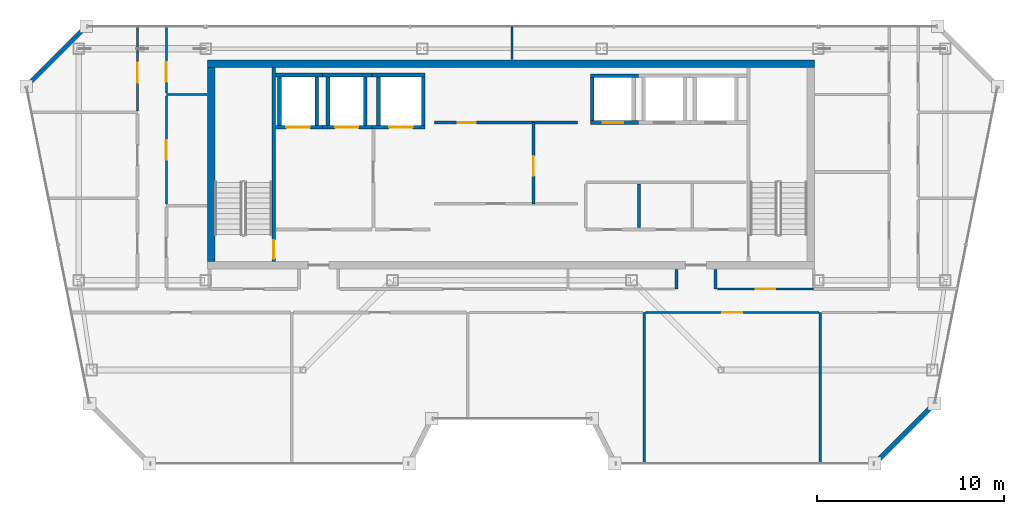
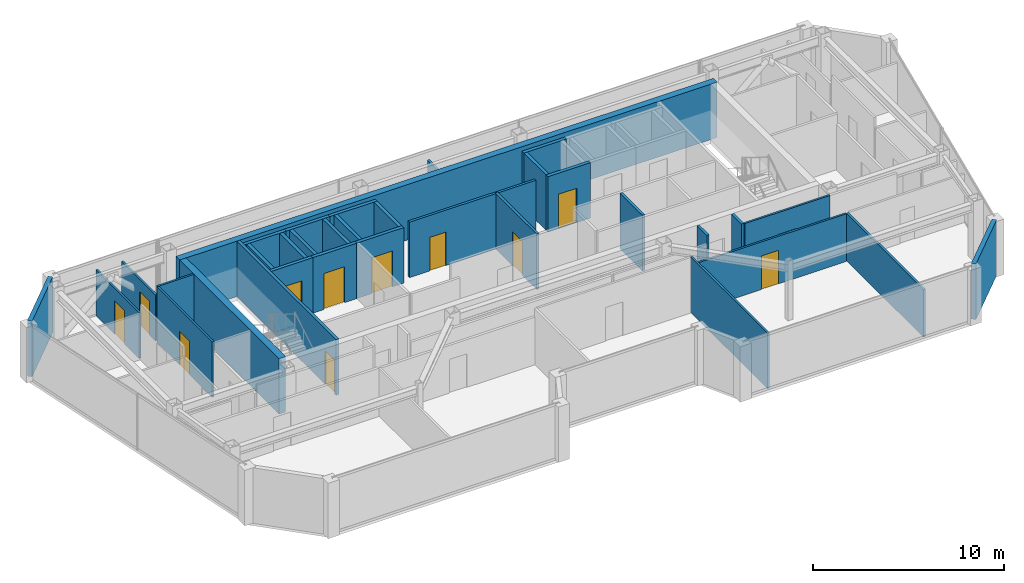
# One storey, part 19 of 24: 34 walls, 12 doors, 12 openings.
"""IFC4 building model written with IfcOpenShell, lengths in metres."""

from ifc_helpers import new_model, si_unit, direction, frame, frame_2d, origin, place, context, subcontext, project, spatial, rectangle, extrude, material, layer, layer_set, type_object, element, fill, save


model = new_model("IFC4")

# Units and contexts
model_context = context("Model", 3, precision=1e-05, world=origin(), true_north=direction((0.0, 1.0)))
body_context = subcontext(model_context, "Body", "Model", "MODEL_VIEW")
ifc_project = project(units=[si_unit("LENGTHUNIT", "METRE"), si_unit("AREAUNIT", "SQUARE_METRE"), si_unit("VOLUMEUNIT", "CUBIC_METRE"), si_unit("PLANEANGLEUNIT", "RADIAN"), si_unit("MASSUNIT", "GRAM", prefix="KILO")], contexts=[model_context])

# Site, building, storey
site_placement = place(None, origin())
site = spatial("IfcSite", under=ifc_project, at=site_placement, CompositionType="ELEMENT")
building_placement = place(site_placement, origin())
building = spatial("IfcBuilding", under=site, at=building_placement, Name="Saevonmaru Cultural Tower", CompositionType="ELEMENT")
storey_placement = place(building_placement, frame((0.0, 0.0, 299.0)))
storey = spatial("IfcBuildingStorey", under=building, at=storey_placement, Name="L71", CompositionType="ELEMENT", Elevation=299.0)

# Walls
ifc_material_1 = material(Name="Concrete C50/60", Category="concrete")
ifc_layer_1 = layer(ifc_material_1, 0.39990234375, Name="Concrete C50/60")
ifc_layer_set_1 = layer_set([ifc_layer_1], Name="Concrete C50/60")
wall_type_1 = type_object("IfcWallType", Name="WL-CORE-400", PredefinedType="SHEAR", material=ifc_layer_set_1)
wall_1_placement = place(storey_placement, frame((13.699951171875, 54.0, 0.0), z_axis=(0.0, 0.0, 1.0), x_axis=(1.0, 0.0, 0.0)))
element("IfcWall", 1, at=wall_1_placement, inside=storey, type_object=wall_type_1, Name="L71 Tower RC core shear wall N", PredefinedType="SHEAR", context=body_context, shape_type="SweptSolid", body=[
    extrude(rectangle(XDim=32.5, YDim=0.39990234375, at=frame_2d((16.25, 0.0))), origin(), (0.0, 0.0, 1.0), 3.550048828125),
])
wall_2_placement = place(storey_placement, frame((13.89990234375, 43.39990234375, 0.0), z_axis=(0.0, 0.0, 1.0), x_axis=(0.0, 1.0, 0.0)))
element("IfcWall", 2, at=wall_2_placement, inside=storey, type_object=wall_type_1, Name="L71 Tower RC core shear wall W", PredefinedType="SHEAR", context=body_context, shape_type="SweptSolid", body=[
    extrude(rectangle(XDim=10.400146484375, YDim=0.39990234375, at=frame_2d((5.2001953125, 0.0))), origin(), (0.0, 0.0, 1.0), 3.550048828125),
])

# Wall, opening, door
ifc_material_2 = material(Name="Gypsum Fireboard Partition", Category="gypsum")
ifc_layer_2 = layer(ifc_material_2, 0.14990234375, Name="Gypsum Fireboard Partition")
ifc_layer_set_2 = layer_set([ifc_layer_2], Name="Gypsum Fireboard Partition")
wall_type_2 = type_object("IfcWallType", Name="WL-CORE-PART-150", PredefinedType="PARTITIONING", material=ifc_layer_set_2)
wall_3_placement = place(storey_placement, frame((31.14990234375, 46.5, 0.0), z_axis=(0.0, 0.0, 1.0), x_axis=(0.0, 1.0, 0.0)))
wall_3 = element("IfcWall", 3, at=wall_3_placement, inside=storey, type_object=wall_type_2, Name="L71 Lift Zone Baffle 1", PredefinedType="PARTITIONING", context=body_context, shape_type="SweptSolid", body=[
    extrude(rectangle(XDim=4.35009765625, YDim=0.14990234375, at=frame_2d((2.175048828125, 0.0))), origin(), (0.0, 0.0, 1.0), 3.550048828125),
])
opening_1_placement = place(wall_3_placement, frame((1.5, 0.0, 0.0)))
opening_1 = element("IfcOpeningElement", 4, at=opening_1_placement, cuts=wall_3, Name="Opening ID-1", PredefinedType="OPENING", context=body_context, shape_type="SweptSolid", body=[
    extrude(rectangle(XDim=1.050048828125, YDim=2.14990234375, at=frame_2d((0.52490234375, 1.074951171875))), frame((0.0, 0.0849609375, 0.0), z_axis=(0.0, -1.0, 0.0), x_axis=(1.0, 0.0, 0.0)), (0.0, 0.0, 1.0), 0.169921875),
])
ifc_material_3 = material(Name="Satin Bronze Anodised Aluminium", Category="aluminium")
door_type_1 = type_object("IfcDoorType", Name="DR-INT-1050", OperationType="SINGLE_SWING_LEFT", PredefinedType="DOOR", material=ifc_material_3)
door_1_placement = place(opening_1_placement, origin())
door_1 = element("IfcDoor", 5, at=door_1_placement, inside=storey, type_object=door_type_1, Name="L71 West-Mid Lobby Portal", OperationType="SINGLE_SWING_LEFT", OverallHeight=2.14990234375, OverallWidth=1.050048828125, PredefinedType="DOOR", context=body_context, shape_type="SweptSolid", body=[
    extrude(rectangle(XDim=1.050048828125, YDim=2.14990234375, at=frame_2d((0.52490234375, 1.074951171875))), frame((0.0, 0.02490234375, 0.0), z_axis=(0.0, -1.0, 0.0), x_axis=(1.0, 0.0, 0.0)), (0.0, 0.0, 1.0), 0.050048828125),
])
fill(opening_1, door_1)

# Wall
wall_4_placement = place(storey_placement, frame((36.800048828125, 45.219970703125, 0.0), z_axis=(0.0, 0.0, 1.0), x_axis=(0.0, 1.0, 0.0)))
element("IfcWall", 6, at=wall_4_placement, inside=storey, type_object=wall_type_2, Name="L71 Utility Divider 1", PredefinedType="PARTITIONING", context=body_context, shape_type="SweptSolid", body=[
    extrude(rectangle(XDim=2.330078125, YDim=0.14990234375, at=frame_2d((1.1650390625, 0.0))), origin(), (0.0, 0.0, 1.0), 3.550048828125),
])

# Wall, opening, door
wall_5_placement = place(storey_placement, frame((25.85009765625, 50.85009765625, 0.0), z_axis=(0.0, 0.0, 1.0), x_axis=(1.0, 0.0, 0.0)))
wall_5 = element("IfcWall", 7, at=wall_5_placement, inside=storey, type_object=wall_type_2, Name="L71 Reclaimed Core Room South Wall", PredefinedType="PARTITIONING", context=body_context, shape_type="SweptSolid", body=[
    extrude(rectangle(XDim=7.64990234375, YDim=0.14990234375, at=frame_2d((3.824951171875, 0.0))), origin(), (0.0, 0.0, 1.0), 3.550048828125),
])
opening_2_placement = place(wall_5_placement, frame((1.25, 0.0, 0.0)))
opening_2 = element("IfcOpeningElement", 8, at=opening_2_placement, cuts=wall_5, Name="Opening FD-4", PredefinedType="OPENING", context=body_context, shape_type="SweptSolid", body=[
    extrude(rectangle(XDim=0.949951171875, YDim=2.14990234375, at=frame_2d((0.47509765625, 1.074951171875))), frame((0.0, 0.0849609375, 0.0), z_axis=(0.0, -1.0, 0.0), x_axis=(1.0, 0.0, 0.0)), (0.0, 0.0, 1.0), 0.169921875),
])
door_type_2 = type_object("IfcDoorType", Name="DR-FD60-950", OperationType="SINGLE_SWING_LEFT", PredefinedType="DOOR", material=ifc_material_3)
door_2_placement = place(opening_2_placement, origin())
door_2 = element("IfcDoor", 9, at=door_2_placement, inside=storey, type_object=door_type_2, Name="L71 Reclaimed Archive Vault Door", OperationType="SINGLE_SWING_LEFT", OverallHeight=2.14990234375, OverallWidth=0.949951171875, PredefinedType="DOOR", context=body_context, shape_type="SweptSolid", body=[
    extrude(rectangle(XDim=0.949951171875, YDim=2.14990234375, at=frame_2d((0.47509765625, 1.074951171875))), frame((0.0, 0.02490234375, 0.0), z_axis=(0.0, -1.0, 0.0), x_axis=(1.0, 0.0, 0.0)), (0.0, 0.0, 1.0), 0.050048828125),
])
fill(opening_2, door_2)

# Walls
ifc_material_4 = material(Name="Granite-Clad Precast Concrete C40/50", Category="masonry")
ifc_layer_3 = layer(ifc_material_4, 0.260009765625, Name="Granite-Clad Precast Concrete C40/50")
ifc_layer_set_3 = layer_set([ifc_layer_3], Name="Granite-Clad Precast Concrete C40/50")
wall_type_3 = type_object("IfcWallType", Name="WL-EXT-SPANDREL-260", PredefinedType="STANDARD", material=ifc_layer_set_3)
wall_6_placement = place(storey_placement, frame((49.533203125, 32.713134765625, 0.0), z_axis=(0.0, 0.0, 1.0), x_axis=(0.70707775441, 0.707135806771, 0.0)))
element("IfcWall", 10, at=wall_6_placement, inside=storey, type_object=wall_type_3, Name="L71 Chamfer Corner Spandrel Wall E7", PredefinedType="STANDARD", context=body_context, shape_type="SweptSolid", body=[
    extrude(rectangle(XDim=4.20556640625, YDim=0.260009765625, at=frame_2d((2.102783203125, 0.0))), origin(), (0.0, 0.0, 1.0), 3.550048828125),
])
wall_7_placement = place(storey_placement, frame((7.0869140625, 55.886962890625, 0.0), z_axis=(0.0, 0.0, 1.0), x_axis=(-0.707106781187, -0.707106781187, 0.0)))
element("IfcWall", 11, at=wall_7_placement, inside=storey, type_object=wall_type_3, Name="L71 Chamfer Corner Spandrel Wall E11", PredefinedType="STANDARD", context=body_context, shape_type="SweptSolid", body=[
    extrude(rectangle(XDim=4.205810546875, YDim=0.260009765625, at=frame_2d((2.10302734375, 0.0))), origin(), (0.0, 0.0, 1.0), 3.550048828125),
])
ifc_layer_4 = layer(ifc_material_2, 0.14990234375, Name="Gypsum Fireboard Partition")
ifc_layer_set_4 = layer_set([ifc_layer_4], Name="Gypsum Fireboard Partition")
wall_type_4 = type_object("IfcWallType", Name="WL-PART-FIRE-150", PredefinedType="PARTITIONING", material=ifc_layer_set_4)
for number, where, z_axis, x_axis, name in (
    (12, (38.800048828125, 41.93994140625, 0.0), (0.0, 0.0, 1.0), (0.0, 1.0, 0.0), "L71 Core Portal Side Wall E1"),
    (13, (40.89990234375, 41.93994140625, 0.0), (0.0, 0.0, 1.0), (0.0, 1.0, 0.0), "L71 Core Portal Side Wall E2"),
):
    element("IfcWall", number, at=place(storey_placement, frame(where, z_axis=z_axis, x_axis=x_axis)), inside=storey, type_object=wall_type_4, Name=name, PredefinedType="PARTITIONING", context=body_context, shape_type="SweptSolid", body=[
        extrude(rectangle(XDim=1.0400390625, YDim=0.14990234375, at=frame_2d((0.52001953125, 0.0))), origin(), (0.0, 0.0, 1.0), 3.550048828125),
    ])
ifc_layer_5 = layer(ifc_material_2, 0.1201171875, Name="Gypsum Fireboard Partition")
ifc_layer_set_5 = layer_set([ifc_layer_5], Name="Gypsum Fireboard Partition")
wall_type_5 = type_object("IfcWallType", Name="WL-PART-GYP-120", PredefinedType="PARTITIONING", material=ifc_layer_set_5)
wall_8_placement = place(storey_placement, frame((11.5, 52.35009765625, 0.0), z_axis=(0.0, 0.0, 1.0), x_axis=(1.0, 0.0, 0.0)))
element("IfcWall", 14, at=wall_8_placement, inside=storey, type_object=wall_type_5, Name="L71 North-West Panorama South Wall", PredefinedType="PARTITIONING", context=body_context, shape_type="SweptSolid", body=[
    extrude(rectangle(XDim=2.179931640625, YDim=0.1201171875, at=frame_2d((1.08984375, 0.0))), origin(), (0.0, 0.0, 1.0), 3.550048828125),
])
wall_9_placement = place(storey_placement, frame((30.0, 54.219970703125, 0.0), z_axis=(0.0, 0.0, 1.0), x_axis=(0.0, 1.0, 0.0)))
element("IfcWall", 15, at=wall_9_placement, inside=storey, type_object=wall_type_5, Name="L71 North Panorama Center Split", PredefinedType="PARTITIONING", context=body_context, shape_type="SweptSolid", body=[
    extrude(rectangle(XDim=1.775146484375, YDim=0.1201171875, at=frame_2d((0.8876953125, 0.0))), origin(), (0.0, 0.0, 1.0), 2.93505859375),
])

# Wall, opening, door
wall_10_placement = place(storey_placement, frame((11.5, 52.429931640625, 0.0), z_axis=(0.0, 0.0, 1.0), x_axis=(0.0, 1.0, 0.0)))
wall_10 = element("IfcWall", 16, at=wall_10_placement, inside=storey, type_object=wall_type_5, Name="L71 Rare Manuscript Reading Room Corridor Wall", PredefinedType="PARTITIONING", context=body_context, shape_type="SweptSolid", body=[
    extrude(rectangle(XDim=3.565185546875, YDim=0.1201171875, at=frame_2d((1.78271484375, 0.0))), origin(), (0.0, 0.0, 1.0), 2.93505859375),
])
opening_3_placement = place(wall_10_placement, frame((0.596923828125, 0.0, 0.0)))
opening_3 = element("IfcOpeningElement", 17, at=opening_3_placement, cuts=wall_10, Name="Opening ID-1", PredefinedType="OPENING", context=body_context, shape_type="SweptSolid", body=[
    extrude(rectangle(XDim=1.050048828125, YDim=2.14990234375, at=frame_2d((0.52490234375, 1.074951171875))), frame((0.0, 0.070068359375, 0.0), z_axis=(0.0, -1.0, 0.0), x_axis=(1.0, 0.0, 0.0)), (0.0, 0.0, 1.0), 0.14013671875),
])
door_3_placement = place(opening_3_placement, origin())
door_3 = element("IfcDoor", 18, at=door_3_placement, inside=storey, type_object=door_type_1, Name="L71 Rare Manuscript Reading Room Door", OperationType="SINGLE_SWING_LEFT", OverallHeight=2.14990234375, OverallWidth=1.050048828125, PredefinedType="DOOR", context=body_context, shape_type="SweptSolid", body=[
    extrude(rectangle(XDim=1.050048828125, YDim=2.14990234375, at=frame_2d((0.52490234375, 1.074951171875))), frame((0.0, 0.02490234375, 0.0), z_axis=(0.0, -1.0, 0.0), x_axis=(1.0, 0.0, 0.0)), (0.0, 0.0, 1.0), 0.050048828125),
])
fill(opening_3, door_3)

wall_11_placement = place(storey_placement, frame((9.949951171875, 51.47998046875, 0.0), z_axis=(0.0, 0.0, 1.0), x_axis=(0.0, 1.0, 0.0)))
wall_11 = element("IfcWall", 19, at=wall_11_placement, inside=storey, type_object=wall_type_5, Name="L71 Rare Manuscript Reading Room Corridor Wall", PredefinedType="PARTITIONING", context=body_context, shape_type="SweptSolid", body=[
    extrude(rectangle(XDim=4.51513671875, YDim=0.1201171875, at=frame_2d((2.257568359375, 0.0))), origin(), (0.0, 0.0, 1.0), 2.93505859375),
])
opening_4_placement = place(wall_11_placement, frame((1.512939453125, 0.0, 0.0)))
opening_4 = element("IfcOpeningElement", 20, at=opening_4_placement, cuts=wall_11, Name="Opening ID-1", PredefinedType="OPENING", context=body_context, shape_type="SweptSolid", body=[
    extrude(rectangle(XDim=1.050048828125, YDim=2.14990234375, at=frame_2d((0.52490234375, 1.074951171875))), frame((0.0, 0.070068359375, 0.0), z_axis=(0.0, -1.0, 0.0), x_axis=(1.0, 0.0, 0.0)), (0.0, 0.0, 1.0), 0.14013671875),
])
door_4_placement = place(opening_4_placement, origin())
door_4 = element("IfcDoor", 21, at=door_4_placement, inside=storey, type_object=door_type_1, Name="L71 Rare Manuscript Reading Room Door", OperationType="SINGLE_SWING_RIGHT", OverallHeight=2.14990234375, OverallWidth=1.050048828125, PredefinedType="DOOR", context=body_context, shape_type="SweptSolid", body=[
    extrude(rectangle(XDim=1.050048828125, YDim=2.14990234375, at=frame_2d((0.52490234375, 1.074951171875))), frame((0.0, 0.02490234375, 0.0), z_axis=(0.0, -1.0, 0.0), x_axis=(1.0, 0.0, 0.0)), (0.0, 0.0, 1.0), 0.050048828125),
])
fill(opening_4, door_4)

wall_12_placement = place(storey_placement, frame((11.5, 46.47998046875, 0.0), z_axis=(0.0, 0.0, 1.0), x_axis=(0.0, 1.0, 0.0)))
wall_12 = element("IfcWall", 22, at=wall_12_placement, inside=storey, type_object=wall_type_5, Name="L71 Rare Manuscript Reading Room Corridor Wall", PredefinedType="PARTITIONING", context=body_context, shape_type="SweptSolid", body=[
    extrude(rectangle(XDim=5.7900390625, YDim=0.1201171875, at=frame_2d((2.89501953125, 0.0))), origin(), (0.0, 0.0, 1.0), 3.550048828125),
])
opening_5_placement = place(wall_12_placement, frame((2.3701171875, 0.0, 0.0)))
opening_5 = element("IfcOpeningElement", 23, at=opening_5_placement, cuts=wall_12, Name="Opening ID-1", PredefinedType="OPENING", context=body_context, shape_type="SweptSolid", body=[
    extrude(rectangle(XDim=1.050048828125, YDim=2.14990234375, at=frame_2d((0.52490234375, 1.074951171875))), frame((0.0, 0.070068359375, 0.0), z_axis=(0.0, -1.0, 0.0), x_axis=(1.0, 0.0, 0.0)), (0.0, 0.0, 1.0), 0.14013671875),
])
door_5_placement = place(opening_5_placement, origin())
door_5 = element("IfcDoor", 24, at=door_5_placement, inside=storey, type_object=door_type_1, Name="L71 Rare Manuscript Reading Room Door", OperationType="SINGLE_SWING_RIGHT", OverallHeight=2.14990234375, OverallWidth=1.050048828125, PredefinedType="DOOR", context=body_context, shape_type="SweptSolid", body=[
    extrude(rectangle(XDim=1.050048828125, YDim=2.14990234375, at=frame_2d((0.52490234375, 1.074951171875))), frame((0.0, 0.02490234375, 0.0), z_axis=(0.0, -1.0, 0.0), x_axis=(1.0, 0.0, 0.0)), (0.0, 0.0, 1.0), 0.050048828125),
])
fill(opening_5, door_5)

wall_13_placement = place(storey_placement, frame((40.9951171875, 41.93994140625, 0.0), z_axis=(0.0, 0.0, 1.0), x_axis=(1.0, 0.0, 0.0)))
wall_13 = element("IfcWall", 25, at=wall_13_placement, inside=storey, type_object=wall_type_5, Name="L71 Rare Manuscript Reading Room Corridor Wall", PredefinedType="PARTITIONING", context=body_context, shape_type="SweptSolid", body=[
    extrude(rectangle(XDim=5.15478515625, YDim=0.1201171875, at=frame_2d((2.577392578125, 0.0))), origin(), (0.0, 0.0, 1.0), 3.550048828125),
])
opening_6_placement = place(wall_13_placement, frame((2.052978515625, 0.0, 0.0)))
opening_6 = element("IfcOpeningElement", 26, at=opening_6_placement, cuts=wall_13, Name="Opening ID-1", PredefinedType="OPENING", context=body_context, shape_type="SweptSolid", body=[
    extrude(rectangle(XDim=1.050048828125, YDim=2.14990234375, at=frame_2d((0.52490234375, 1.074951171875))), frame((0.0, 0.070068359375, 0.0), z_axis=(0.0, -1.0, 0.0), x_axis=(1.0, 0.0, 0.0)), (0.0, 0.0, 1.0), 0.14013671875),
])
door_6_placement = place(opening_6_placement, origin())
door_6 = element("IfcDoor", 27, at=door_6_placement, inside=storey, type_object=door_type_1, Name="L71 Rare Manuscript Reading Room Door", OperationType="SINGLE_SWING_LEFT", OverallHeight=2.14990234375, OverallWidth=1.050048828125, PredefinedType="DOOR", context=body_context, shape_type="SweptSolid", body=[
    extrude(rectangle(XDim=1.050048828125, YDim=2.14990234375, at=frame_2d((0.52490234375, 1.074951171875))), frame((0.0, 0.02490234375, 0.0), z_axis=(0.0, -1.0, 0.0), x_axis=(1.0, 0.0, 0.0)), (0.0, 0.0, 1.0), 0.050048828125),
])
fill(opening_6, door_6)

# Wall
wall_14_placement = place(storey_placement, frame((37.080078125, 32.60498046875, 0.0), z_axis=(0.0, 0.0, 1.0), x_axis=(0.0, 1.0, 0.0)))
element("IfcWall", 28, at=wall_14_placement, inside=storey, type_object=wall_type_5, Name="L71 Observatory Bay Divider 3", PredefinedType="PARTITIONING", context=body_context, shape_type="SweptSolid", body=[
    extrude(rectangle(XDim=8.074951171875, YDim=0.1201171875, at=frame_2d((4.03759765625, 0.0))), origin(), (0.0, 0.0, 1.0), 3.550048828125),
])

# Wall, opening, door
wall_15_placement = place(storey_placement, frame((37.159912109375, 40.679931640625, 0.0), z_axis=(0.0, 0.0, 1.0), x_axis=(1.0, 0.0, 0.0)))
wall_15 = element("IfcWall", 29, at=wall_15_placement, inside=storey, type_object=wall_type_5, Name="L71 Periodical Reading Room Corridor Wall", PredefinedType="PARTITIONING", context=body_context, shape_type="SweptSolid", body=[
    extrude(rectangle(XDim=9.2626953125, YDim=0.1201171875, at=frame_2d((4.63134765625, 0.0))), origin(), (0.0, 0.0, 1.0), 3.047119140625),
])
opening_7_placement = place(wall_15_placement, frame((4.10595703125, 0.0, 0.0)))
opening_7 = element("IfcOpeningElement", 30, at=opening_7_placement, cuts=wall_15, Name="Opening ID-1", PredefinedType="OPENING", context=body_context, shape_type="SweptSolid", body=[
    extrude(rectangle(XDim=1.050048828125, YDim=2.14990234375, at=frame_2d((0.52490234375, 1.074951171875))), frame((0.0, 0.070068359375, 0.0), z_axis=(0.0, -1.0, 0.0), x_axis=(1.0, 0.0, 0.0)), (0.0, 0.0, 1.0), 0.14013671875),
])
door_7_placement = place(opening_7_placement, origin())
door_7 = element("IfcDoor", 31, at=door_7_placement, inside=storey, type_object=door_type_1, Name="L71 Periodical Reading Room Door", OperationType="SINGLE_SWING_LEFT", OverallHeight=2.14990234375, OverallWidth=1.050048828125, PredefinedType="DOOR", context=body_context, shape_type="SweptSolid", body=[
    extrude(rectangle(XDim=1.050048828125, YDim=2.14990234375, at=frame_2d((0.52490234375, 1.074951171875))), frame((0.0, 0.02490234375, 0.0), z_axis=(0.0, -1.0, 0.0), x_axis=(1.0, 0.0, 0.0)), (0.0, 0.0, 1.0), 0.050048828125),
])
fill(opening_7, door_7)

# Wall
ifc_layer_6 = layer(ifc_material_2, 0.135009765625, Name="Gypsum Fireboard Partition")
ifc_layer_set_6 = layer_set([ifc_layer_6], Name="Gypsum Fireboard Partition")
wall_type_6 = type_object("IfcWallType", Name="WL-PART-GYP-135", PredefinedType="PARTITIONING", material=ifc_layer_set_6)
wall_16_placement = place(storey_placement, frame((46.510009765625, 32.60498046875, 0.0), z_axis=(0.0, 0.0, 1.0), x_axis=(0.0, 1.0, 0.0)))
element("IfcWall", 32, at=wall_16_placement, inside=storey, type_object=wall_type_6, Name="L71 Observatory Bay Divider 4", PredefinedType="PARTITIONING", context=body_context, shape_type="SweptSolid", body=[
    extrude(rectangle(XDim=8.074951171875, YDim=0.135009765625, at=frame_2d((4.03759765625, 0.0))), origin(), (0.0, 0.0, 1.0), 3.047119140625),
])

# Wall, opening, door
ifc_material_5 = material(Name="Concrete C40/50", Category="concrete")
ifc_layer_7 = layer(ifc_material_5, 0.199951171875, Name="Concrete C40/50")
ifc_layer_set_7 = layer_set([ifc_layer_7], Name="Concrete C40/50")
wall_type_7 = type_object("IfcWallType", Name="WL-SHAFT-200", PredefinedType="SHEAR", material=ifc_layer_set_7)
wall_17_placement = place(storey_placement, frame((17.330078125, 50.60009765625, 0.0), z_axis=(0.0, 0.0, 1.0), x_axis=(1.0, 0.0, 0.0)))
wall_17 = element("IfcWall", 33, at=wall_17_placement, inside=storey, type_object=wall_type_7, Name="L71 Lift FFL-1 Hoistway Wall S", PredefinedType="SHEAR", context=body_context, shape_type="SweptSolid", body=[
    extrude(rectangle(XDim=2.52001953125, YDim=0.199951171875, at=frame_2d((1.260009765625, 0.0))), origin(), (0.0, 0.0, 1.0), 3.550048828125),
])
opening_8_placement = place(wall_17_placement, frame((0.594970703125, 0.0, 0.0)))
opening_8 = element("IfcOpeningElement", 34, at=opening_8_placement, cuts=wall_17, Name="Opening LD-2", PredefinedType="OPENING", context=body_context, shape_type="SweptSolid", body=[
    extrude(rectangle(XDim=1.25, YDim=2.300048828125, at=frame_2d((0.625, 1.14990234375))), frame((0.0, 0.10986328125, 0.0), z_axis=(0.0, -1.0, 0.0), x_axis=(1.0, 0.0, 0.0)), (0.0, 0.0, 1.0), 0.219970703125),
])
ifc_material_6 = material(Name="Stainless Steel 316", Category="steel")
door_type_3 = type_object("IfcDoorType", Name="DR-LIFT-1250", OperationType="SLIDING_TO_LEFT", PredefinedType="DOOR", material=ifc_material_6)
door_8_placement = place(opening_8_placement, origin())
door_8 = element("IfcDoor", 35, at=door_8_placement, inside=storey, type_object=door_type_3, Name="L71 Lift FFL-1 Sliding Landing Door", OperationType="SLIDING_TO_LEFT", OverallHeight=2.300048828125, OverallWidth=1.25, PredefinedType="DOOR", context=body_context, shape_type="SweptSolid", body=[
    extrude(rectangle(XDim=1.25, YDim=2.300048828125, at=frame_2d((0.625, 1.14990234375))), frame((0.0, 0.02490234375, 0.0), z_axis=(0.0, -1.0, 0.0), x_axis=(1.0, 0.0, 0.0)), (0.0, 0.0, 1.0), 0.050048828125),
])
fill(opening_8, door_8)

# Walls
wall_18_placement = place(storey_placement, frame((17.330078125, 53.39990234375, 0.0), z_axis=(0.0, 0.0, 1.0), x_axis=(1.0, 0.0, 0.0)))
element("IfcWall", 36, at=wall_18_placement, inside=storey, type_object=wall_type_7, Name="L71 Lift FFL-1 Hoistway Wall N", PredefinedType="SHEAR", context=body_context, shape_type="SweptSolid", body=[
    extrude(rectangle(XDim=2.52001953125, YDim=0.199951171875, at=frame_2d((1.260009765625, 0.0))), origin(), (0.0, 0.0, 1.0), 3.550048828125),
])
for number, where, z_axis, x_axis, name in (
    (37, (17.550048828125, 50.699951171875, 0.0), (0.0, 0.0, 1.0), (0.0, 1.0, 0.0), "L71 Lift FFL-1 Hoistway Wall W"),
    (38, (19.550048828125, 50.699951171875, 0.0), (0.0, 0.0, 1.0), (0.0, 1.0, 0.0), "L71 Lift FFL-1 Hoistway Wall E"),
):
    element("IfcWall", number, at=place(storey_placement, frame(where, z_axis=z_axis, x_axis=x_axis)), inside=storey, type_object=wall_type_7, Name=name, PredefinedType="SHEAR", context=body_context, shape_type="SweptSolid", body=[
        extrude(rectangle(XDim=2.60009765625, YDim=0.199951171875, at=frame_2d((1.300048828125, 0.0))), origin(), (0.0, 0.0, 1.0), 3.550048828125),
    ])

# Wall, opening, door
wall_19_placement = place(storey_placement, frame((19.85009765625, 50.60009765625, 0.0), z_axis=(0.0, 0.0, 1.0), x_axis=(1.0, 0.0, 0.0)))
wall_19 = element("IfcWall", 39, at=wall_19_placement, inside=storey, type_object=wall_type_7, Name="L71 Lift FFL-2 Hoistway Wall S", PredefinedType="SHEAR", context=body_context, shape_type="SweptSolid", body=[
    extrude(rectangle(XDim=2.64990234375, YDim=0.199951171875, at=frame_2d((1.324951171875, 0.0))), origin(), (0.0, 0.0, 1.0), 3.550048828125),
])
opening_9_placement = place(wall_19_placement, frame((0.675048828125, 0.0, 0.0)))
opening_9 = element("IfcOpeningElement", 40, at=opening_9_placement, cuts=wall_19, Name="Opening LD-2", PredefinedType="OPENING", context=body_context, shape_type="SweptSolid", body=[
    extrude(rectangle(XDim=1.25, YDim=2.300048828125, at=frame_2d((0.625, 1.14990234375))), frame((0.0, 0.10986328125, 0.0), z_axis=(0.0, -1.0, 0.0), x_axis=(1.0, 0.0, 0.0)), (0.0, 0.0, 1.0), 0.219970703125),
])
door_9_placement = place(opening_9_placement, origin())
door_9 = element("IfcDoor", 41, at=door_9_placement, inside=storey, type_object=door_type_3, Name="L71 Lift FFL-2 Sliding Landing Door", OperationType="SLIDING_TO_LEFT", OverallHeight=2.300048828125, OverallWidth=1.25, PredefinedType="DOOR", context=body_context, shape_type="SweptSolid", body=[
    extrude(rectangle(XDim=1.25, YDim=2.300048828125, at=frame_2d((0.625, 1.14990234375))), frame((0.0, 0.02490234375, 0.0), z_axis=(0.0, -1.0, 0.0), x_axis=(1.0, 0.0, 0.0)), (0.0, 0.0, 1.0), 0.050048828125),
])
fill(opening_9, door_9)

# Walls
wall_20_placement = place(storey_placement, frame((19.85009765625, 53.39990234375, 0.0), z_axis=(0.0, 0.0, 1.0), x_axis=(1.0, 0.0, 0.0)))
element("IfcWall", 42, at=wall_20_placement, inside=storey, type_object=wall_type_7, Name="L71 Lift FFL-2 Hoistway Wall N", PredefinedType="SHEAR", context=body_context, shape_type="SweptSolid", body=[
    extrude(rectangle(XDim=2.64990234375, YDim=0.199951171875, at=frame_2d((1.324951171875, 0.0))), origin(), (0.0, 0.0, 1.0), 3.550048828125),
])
for number, where, z_axis, x_axis, name in (
    (43, (20.14990234375, 50.699951171875, 0.0), (0.0, 0.0, 1.0), (0.0, 1.0, 0.0), "L71 Lift FFL-2 Hoistway Wall W"),
    (44, (22.14990234375, 50.699951171875, 0.0), (0.0, 0.0, 1.0), (0.0, 1.0, 0.0), "L71 Lift FFL-2 Hoistway Wall E"),
):
    element("IfcWall", number, at=place(storey_placement, frame(where, z_axis=z_axis, x_axis=x_axis)), inside=storey, type_object=wall_type_7, Name=name, PredefinedType="SHEAR", context=body_context, shape_type="SweptSolid", body=[
        extrude(rectangle(XDim=2.60009765625, YDim=0.199951171875, at=frame_2d((1.300048828125, 0.0))), origin(), (0.0, 0.0, 1.0), 3.550048828125),
    ])

# Wall, opening, door
wall_21_placement = place(storey_placement, frame((22.5, 50.60009765625, 0.0), z_axis=(0.0, 0.0, 1.0), x_axis=(1.0, 0.0, 0.0)))
wall_21 = element("IfcWall", 45, at=wall_21_placement, inside=storey, type_object=wall_type_7, Name="L71 Lift GL-1 Hoistway Wall S", PredefinedType="SHEAR", context=body_context, shape_type="SweptSolid", body=[
    extrude(rectangle(XDim=2.85009765625, YDim=0.199951171875, at=frame_2d((1.425048828125, 0.0))), origin(), (0.0, 0.0, 1.0), 3.550048828125),
])
opening_10_placement = place(wall_21_placement, frame((0.925048828125, 0.0, 0.0)))
opening_10 = element("IfcOpeningElement", 46, at=opening_10_placement, cuts=wall_21, Name="Opening LD-2", PredefinedType="OPENING", context=body_context, shape_type="SweptSolid", body=[
    extrude(rectangle(XDim=1.25, YDim=2.300048828125, at=frame_2d((0.625, 1.14990234375))), frame((0.0, 0.10986328125, 0.0), z_axis=(0.0, -1.0, 0.0), x_axis=(1.0, 0.0, 0.0)), (0.0, 0.0, 1.0), 0.219970703125),
])
door_10_placement = place(opening_10_placement, origin())
door_10 = element("IfcDoor", 47, at=door_10_placement, inside=storey, type_object=door_type_3, Name="L71 Lift GL-1 Sliding Landing Door", OperationType="SLIDING_TO_LEFT", OverallHeight=2.300048828125, OverallWidth=1.25, PredefinedType="DOOR", context=body_context, shape_type="SweptSolid", body=[
    extrude(rectangle(XDim=1.25, YDim=2.300048828125, at=frame_2d((0.625, 1.14990234375))), frame((0.0, 0.02490234375, 0.0), z_axis=(0.0, -1.0, 0.0), x_axis=(1.0, 0.0, 0.0)), (0.0, 0.0, 1.0), 0.050048828125),
])
fill(opening_10, door_10)

# Walls
wall_22_placement = place(storey_placement, frame((22.5, 53.39990234375, 0.0), z_axis=(0.0, 0.0, 1.0), x_axis=(1.0, 0.0, 0.0)))
element("IfcWall", 48, at=wall_22_placement, inside=storey, type_object=wall_type_7, Name="L71 Lift GL-1 Hoistway Wall N", PredefinedType="SHEAR", context=body_context, shape_type="SweptSolid", body=[
    extrude(rectangle(XDim=2.85009765625, YDim=0.199951171875, at=frame_2d((1.425048828125, 0.0))), origin(), (0.0, 0.0, 1.0), 3.550048828125),
])
for number, where, z_axis, x_axis, name in (
    (49, (22.85009765625, 50.699951171875, 0.0), (0.0, 0.0, 1.0), (0.0, 1.0, 0.0), "L71 Lift GL-1 Hoistway Wall W"),
    (50, (25.25, 50.699951171875, 0.0), (0.0, 0.0, 1.0), (0.0, 1.0, 0.0), "L71 Lift GL-1 Hoistway Wall E"),
):
    element("IfcWall", number, at=place(storey_placement, frame(where, z_axis=z_axis, x_axis=x_axis)), inside=storey, type_object=wall_type_7, Name=name, PredefinedType="SHEAR", context=body_context, shape_type="SweptSolid", body=[
        extrude(rectangle(XDim=2.60009765625, YDim=0.199951171875, at=frame_2d((1.300048828125, 0.0))), origin(), (0.0, 0.0, 1.0), 3.550048828125),
    ])

# Wall, opening, door
wall_23_placement = place(storey_placement, frame((34.199951171875, 50.85009765625, 0.0), z_axis=(0.0, 0.0, 1.0), x_axis=(1.0, 0.0, 0.0)))
wall_23 = element("IfcWall", 51, at=wall_23_placement, inside=storey, type_object=wall_type_7, Name="L71 Lift PL-H1 Hoistway Wall S", PredefinedType="SHEAR", context=body_context, shape_type="SweptSolid", body=[
    extrude(rectangle(XDim=2.574951171875, YDim=0.199951171875, at=frame_2d((1.28759765625, 0.0))), origin(), (0.0, 0.0, 1.0), 3.550048828125),
])
opening_11_placement = place(wall_23_placement, frame((0.64990234375, 0.0, 0.0)))
opening_11 = element("IfcOpeningElement", 52, at=opening_11_placement, cuts=wall_23, Name="Opening LD-1", PredefinedType="OPENING", context=body_context, shape_type="SweptSolid", body=[
    extrude(rectangle(XDim=1.10009765625, YDim=2.199951171875, at=frame_2d((0.550048828125, 1.10009765625))), frame((0.0, 0.10986328125, 0.0), z_axis=(0.0, -1.0, 0.0), x_axis=(1.0, 0.0, 0.0)), (0.0, 0.0, 1.0), 0.219970703125),
])
ifc_material_7 = material(Name="Satin Bronze Stainless Steel", Category="steel")
door_type_4 = type_object("IfcDoorType", Name="DR-LIFT-1100", OperationType="SLIDING_TO_LEFT", PredefinedType="DOOR", material=ifc_material_7)
door_11_placement = place(opening_11_placement, origin())
door_11 = element("IfcDoor", 53, at=door_11_placement, inside=storey, type_object=door_type_4, Name="L71 Lift PL-H1 Sliding Landing Door", OperationType="SLIDING_TO_LEFT", OverallHeight=2.199951171875, OverallWidth=1.10009765625, PredefinedType="DOOR", context=body_context, shape_type="SweptSolid", body=[
    extrude(rectangle(XDim=1.10009765625, YDim=2.199951171875, at=frame_2d((0.550048828125, 1.10009765625))), frame((0.0, 0.02490234375, 0.0), z_axis=(0.0, -1.0, 0.0), x_axis=(1.0, 0.0, 0.0)), (0.0, 0.0, 1.0), 0.050048828125),
])
fill(opening_11, door_11)

# Walls
wall_24_placement = place(storey_placement, frame((34.199951171875, 53.35009765625, 0.0), z_axis=(0.0, 0.0, 1.0), x_axis=(1.0, 0.0, 0.0)))
element("IfcWall", 54, at=wall_24_placement, inside=storey, type_object=wall_type_7, Name="L71 Lift PL-H1 Hoistway Wall N", PredefinedType="SHEAR", context=body_context, shape_type="SweptSolid", body=[
    extrude(rectangle(XDim=2.574951171875, YDim=0.199951171875, at=frame_2d((1.28759765625, 0.0))), origin(), (0.0, 0.0, 1.0), 3.550048828125),
])
wall_25_placement = place(storey_placement, frame((34.300048828125, 50.949951171875, 0.0), z_axis=(0.0, 0.0, 1.0), x_axis=(0.0, 1.0, 0.0)))
element("IfcWall", 55, at=wall_25_placement, inside=storey, type_object=wall_type_7, Name="L71 Lift PL-H1 Hoistway Wall W", PredefinedType="SHEAR", context=body_context, shape_type="SweptSolid", body=[
    extrude(rectangle(XDim=2.300048828125, YDim=0.199951171875, at=frame_2d((1.14990234375, 0.0))), origin(), (0.0, 0.0, 1.0), 3.550048828125),
])

# Wall, opening, door
ifc_layer_8 = layer(ifc_material_5, 0.179931640625, Name="Concrete C40/50")
ifc_layer_set_8 = layer_set([ifc_layer_8], Name="Concrete C40/50")
wall_type_8 = type_object("IfcWallType", Name="WL-STSHAFT-180", PredefinedType="SHEAR", material=ifc_layer_set_8)
wall_26_placement = place(storey_placement, frame((17.239990234375, 43.39990234375, 0.0), z_axis=(0.0, 0.0, 1.0), x_axis=(0.0, 1.0, 0.0)))
wall_26 = element("IfcWall", 56, at=wall_26_placement, inside=storey, type_object=wall_type_8, Name="L71 Stair ST-1 Structural Shaft Wall 1", PredefinedType="SHEAR", context=body_context, shape_type="SweptSolid", body=[
    extrude(rectangle(XDim=10.400146484375, YDim=0.179931640625, at=frame_2d((5.2001953125, 0.0))), origin(), (0.0, 0.0, 1.0), 3.550048828125),
])
opening_12_placement = place(wall_26_placement, frame((0.159912109375, 0.0, 0.0)))
opening_12 = element("IfcOpeningElement", 57, at=opening_12_placement, cuts=wall_26, Name="Opening FD-3", PredefinedType="OPENING", context=body_context, shape_type="SweptSolid", body=[
    extrude(rectangle(XDim=1.0, YDim=2.14990234375, at=frame_2d((0.5, 1.074951171875))), frame((0.0, 0.10009765625, 0.0), z_axis=(0.0, -1.0, 0.0), x_axis=(1.0, 0.0, 0.0)), (0.0, 0.0, 1.0), 0.199951171875),
])
door_type_5 = type_object("IfcDoorType", Name="DR-FD60-1000", OperationType="SINGLE_SWING_RIGHT", PredefinedType="DOOR", material=ifc_material_3)
door_12_placement = place(opening_12_placement, origin())
door_12 = element("IfcDoor", 58, at=door_12_placement, inside=storey, type_object=door_type_5, Name="L71 Protected Stair ST-1 Fire Door", OperationType="SINGLE_SWING_RIGHT", OverallHeight=2.14990234375, OverallWidth=1.0, PredefinedType="DOOR", context=body_context, shape_type="SweptSolid", body=[
    extrude(rectangle(XDim=1.0, YDim=2.14990234375, at=frame_2d((0.5, 1.074951171875))), frame((0.0, 0.02490234375, 0.0), z_axis=(0.0, -1.0, 0.0), x_axis=(1.0, 0.0, 0.0)), (0.0, 0.0, 1.0), 0.050048828125),
])
fill(opening_12, door_12)

save(model, "model.ifc")
